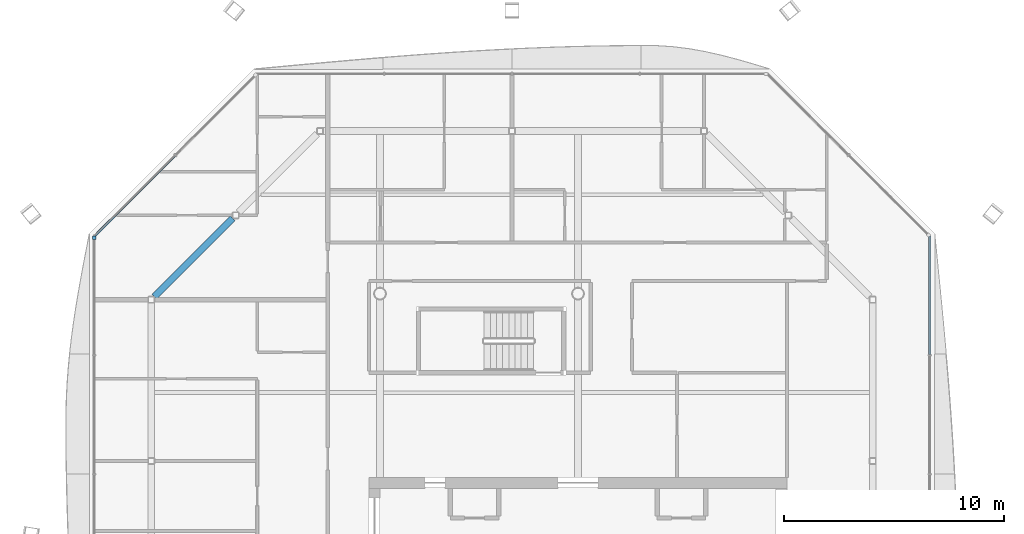
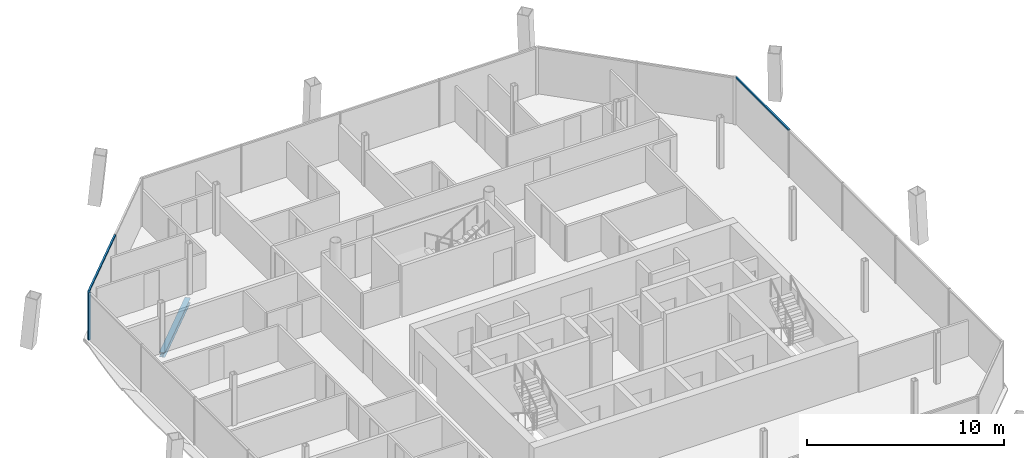
# One storey, part 8 of 18: 3 members, 1 beam, 3 elements without a shape of their own.
"""IFC4 building model written with IfcOpenShell, lengths in metres."""

from ifc_helpers import new_model, si_unit, direction, frame, origin, origin_2d, place, context, subcontext, project, spatial, rectangle, i_section, extrude, material, material_profile, profile_set, type_object, element, aggregate, save


model = new_model("IFC4")

# Units and contexts
model_context = context("Model", 3, precision=1e-05, world=origin(), true_north=direction((0.0, 1.0)))
body_context = subcontext(model_context, "Body", "Model", "MODEL_VIEW")
ifc_project = project(units=[si_unit("LENGTHUNIT", "METRE"), si_unit("AREAUNIT", "SQUARE_METRE"), si_unit("VOLUMEUNIT", "CUBIC_METRE"), si_unit("PLANEANGLEUNIT", "RADIAN"), si_unit("MASSUNIT", "GRAM", prefix="KILO")], contexts=[model_context])

# Site, building, storey
site_placement = place(None, origin())
site = spatial("IfcSite", under=ifc_project, at=site_placement, CompositionType="ELEMENT")
building_placement = place(site_placement, origin())
building = spatial("IfcBuilding", under=site, at=building_placement, Name="Tskaro Facet Tower", CompositionType="ELEMENT")
storey_placement = place(building_placement, frame((0.0, 0.0, 220.35009765625)))
storey = spatial("IfcBuildingStorey", under=building, at=storey_placement, Name="L56", CompositionType="ELEMENT", Elevation=220.35009765625)

# Curtain wall, member
ifc_material_1 = material(Name="Bronze anodised aluminium 6063-T6", Category="aluminium")
curtain_wall_type = type_object("IfcCurtainWallType", Name="Bronze residence curtain wall (FW3)", PredefinedType="NOTDEFINED", material=ifc_material_1)
curtain_wall_1_placement = place(storey_placement, origin())
curtain_wall_1 = element("IfcCurtainWall", 1, at=curtain_wall_1_placement, inside=storey, type_object=curtain_wall_type, Name="FW3 west facet L56", PredefinedType="NOTDEFINED")
ifc_material_profile_1 = material_profile(ifc_material_1, rectangle(XDim=0.139892578125, YDim=0.139892578125, at=origin_2d()), Name="Corner post 140x140")
ifc_profile_set_1 = profile_set([ifc_material_profile_1], Name="Bronze anodised aluminium 6063-T6")
member_type_1 = type_object("IfcMemberType", Name="FW3 bronze corner post 140x140", PredefinedType="MULLION", material=ifc_profile_set_1)
member_1_placement = place(storey_placement, frame((-21.985107421875, 11.5390625, 0.0), z_axis=(0.0, 0.0, 1.0), x_axis=(0.0, -1.0, 0.0)))
member_1 = element("IfcMember", 2, at=member_1_placement, type_object=member_type_1, Name="FW3 west corner post", PredefinedType="MULLION", context=body_context, shape_type="SweptSolid", body=[
    extrude(rectangle(XDim=0.139892578125, YDim=0.139892578125, at=origin_2d()), origin(), (0.0, 0.0, 1.0), 2.949951171875),
])
aggregate(curtain_wall_1, [member_1])

curtain_wall_2_placement = place(storey_placement, origin())
curtain_wall_2 = element("IfcCurtainWall", 3, at=curtain_wall_2_placement, inside=storey, type_object=curtain_wall_type, Name="FW3 east facet L56", PredefinedType="NOTDEFINED")
ifc_material_profile_2 = material_profile(ifc_material_1, rectangle(XDim=0.10009765625, YDim=0.090087890625, at=origin_2d()), Name="Transom 100x90")
ifc_profile_set_2 = profile_set([ifc_material_profile_2], Name="Bronze anodised aluminium 6063-T6")
member_type_2 = type_object("IfcMemberType", Name="FW3 bronze transom 100x90", PredefinedType="USERDEFINED", material=ifc_profile_set_2)
member_2_placement = place(storey_placement, frame((15.985107421875, 6.22509765625, 2.90478515625), z_axis=(0.0, 1.0, 0.0), x_axis=(-1.0, 0.0, 0.0)))
member_2 = element("IfcMember", 4, at=member_2_placement, type_object=member_type_2, Name="FW3 east transom 5.1", ObjectType="TRANSOM", PredefinedType="USERDEFINED", context=body_context, shape_type="SweptSolid", body=[
    extrude(rectangle(XDim=0.10009765625, YDim=0.090087890625, at=origin_2d()), origin(), (0.0, 0.0, 1.0), 5.3837890625),
])
aggregate(curtain_wall_2, [member_2])

curtain_wall_3_placement = place(storey_placement, origin())
curtain_wall_3 = element("IfcCurtainWall", 5, at=curtain_wall_3_placement, inside=storey, type_object=curtain_wall_type, Name="FW3 north-west facet L56", PredefinedType="NOTDEFINED")
member_3_placement = place(storey_placement, frame((-18.314697265625, 15.279296875, 2.90478515625), z_axis=(-0.707106781187, -0.707106781187, 0.0), x_axis=(0.707106781187, -0.707106781187, 0.0)))
member_3 = element("IfcMember", 6, at=member_3_placement, type_object=member_type_2, Name="FW3 north-west transom 2.1", ObjectType="TRANSOM", PredefinedType="USERDEFINED", context=body_context, shape_type="SweptSolid", body=[
    extrude(rectangle(XDim=0.10009765625, YDim=0.090087890625, at=origin_2d()), origin(), (0.0, 0.0, 1.0), 5.190673828125),
])
aggregate(curtain_wall_3, [member_3])

# Beam
ifc_material_2 = material(Name="Steel S355J2", Category="steel")
ifc_material_profile_3 = material_profile(ifc_material_2, i_section(OverallWidth=0.300048828125, OverallDepth=0.300048828125, WebThickness=0.010986328125, FlangeThickness=0.01904296875, FilletRadius=0.027099609375, at=origin_2d()), Name="HE 300 B")
ifc_profile_set_3 = profile_set([ifc_material_profile_3], Name="Steel S355J2")
beam_type = type_object("IfcBeamType", Name="HE 300 B ring beam", PredefinedType="BEAM", material=ifc_profile_set_3)
beam_placement = place(storey_placement, frame((-15.69384765625, 12.422119140625, -0.2900390625), z_axis=(-0.707106781187, -0.707106781187, 0.0), x_axis=(0.707106781187, -0.707106781187, 0.0)))
element("IfcBeam", 7, at=beam_placement, inside=storey, type_object=beam_type, Name="HE 300 B EB13-5", PredefinedType="BEAM", context=body_context, shape_type="SweptSolid", body=[
    extrude(i_section(OverallWidth=0.300048828125, OverallDepth=0.300048828125, WebThickness=0.010986328125, FlangeThickness=0.01904296875, FilletRadius=0.027099609375, at=origin_2d()), origin(), (0.0, 0.0, 1.0), 5.036376953125),
])

save(model, "model.ifc")
